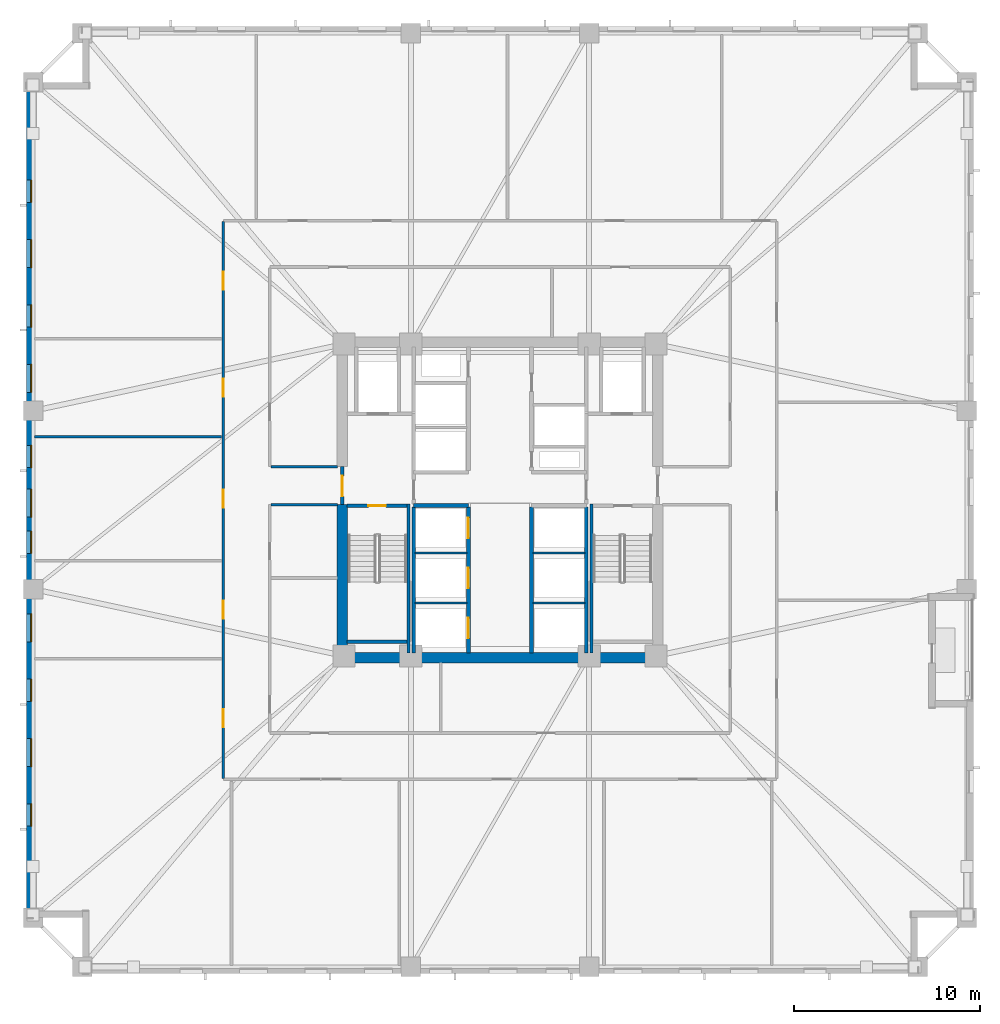
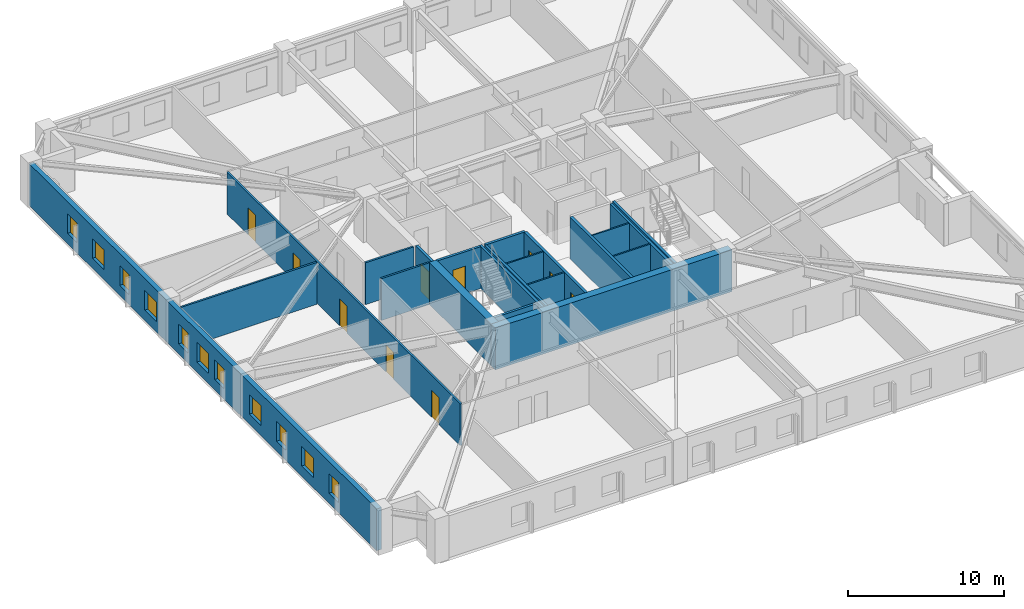
# One storey, part 3 of 11: 21 walls, 11 windows, 10 doors, 21 openings.
"""IFC4 building model written with IfcOpenShell, lengths in metres."""

import ifcopenshell
import ifcopenshell.guid

model = None  # the IFC model being written
_history = None  # IfcOwnerHistory: only IFC2X3 demands one
_inside = {}  # id of a spatial element -> (the spatial element, [elements in it])
_under = {}  # id of a project, library or spatial element -> (it, [spatial elements below it])
_declared = {}  # id of a project -> (the project, [libraries it declares])
_typed = {}  # id of a type object -> (the type object, [elements of that type])
_made_of = {}  # id of a material, layer set ... -> (it, [elements and type objects made of it])


def new_model(schema):
    """Start an empty IFC model of exactly this schema.

    Asked for "IFC4X3", IfcOpenShell would pick the latest addendum, in which some entities
    have other attributes; the version numbers below select the first issue.
    IFC2X3 requires an IfcOwnerHistory on every rooted entity: one is made here for all.
    """
    global model, _history
    if schema == "IFC4X3":
        model = ifcopenshell.file(schema_version=(4, 3, 0, 0))
    else:
        model = ifcopenshell.file(schema=schema)
    _inside.clear()
    _under.clear()
    _declared.clear()
    _typed.clear()
    _made_of.clear()
    _history = None
    if model.schema == "IFC2X3":
        org = make("IfcOrganization", Name="unknown")
        user = make(
            "IfcPersonAndOrganization",
            ThePerson=make("IfcPerson", FamilyName="unknown"),
            TheOrganization=org,
        )
        app = make(
            "IfcApplication",
            ApplicationDeveloper=org,
            Version="unknown",
            ApplicationFullName="unknown",
            ApplicationIdentifier="unknown",
        )
        _history = make(
            "IfcOwnerHistory",
            OwningUser=user,
            OwningApplication=app,
            ChangeAction="ADDED",
            CreationDate=0,
        )
    return model


def make(cls, **values):
    """One entity of the class cls with the attributes given. An attribute that is None is left unset."""
    return model.create_entity(
        cls, **{name: value for name, value in values.items() if value is not None}
    )


def rooted(cls, **values):
    """An entity with a GlobalId (a new one), such as an element, a storey or a relation."""
    return make(cls, GlobalId=ifcopenshell.guid.new(), OwnerHistory=_history, **values)


def si_unit(unit_type, name, prefix=None):
    """IfcSIUnit, for example si_unit("LENGTHUNIT", "METRE", prefix="MILLI")."""
    return make("IfcSIUnit", UnitType=unit_type, Prefix=prefix, Name=name)


def assignment(units):
    """IfcUnitAssignment: the units of a project."""
    return None if units is None else make("IfcUnitAssignment", Units=units)


def point(xyz):
    """IfcCartesianPoint."""
    return None if xyz is None else make("IfcCartesianPoint", Coordinates=xyz)


def direction(xyz):
    """IfcDirection."""
    return None if xyz is None else make("IfcDirection", DirectionRatios=xyz)


def frame(location, z_axis=None, x_axis=None):
    """IfcAxis2Placement3D, a coordinate frame: its origin and axes. An axis left out is left unset."""
    return make(
        "IfcAxis2Placement3D",
        Location=point(location),
        Axis=direction(z_axis),
        RefDirection=direction(x_axis),
    )


def frame_2d(location, x_axis=None):
    """IfcAxis2Placement2D, a coordinate frame in the plane: its origin and x axis."""
    return make(
        "IfcAxis2Placement2D", Location=point(location), RefDirection=direction(x_axis)
    )


def origin():
    """The frame at (0, 0, 0) with its axes left unset."""
    return frame((0.0, 0.0, 0.0))


def place(relative_to, where):
    """IfcLocalPlacement: puts the frame where relative to a parent placement (None: the world)."""
    return make(
        "IfcLocalPlacement", PlacementRelTo=relative_to, RelativePlacement=where
    )


def context(
    kind, dimensions, precision=None, world=None, true_north=None, identifier=None
):
    """IfcGeometricRepresentationContext, for example the 3D "Model" context."""
    return make(
        "IfcGeometricRepresentationContext",
        ContextIdentifier=identifier,
        ContextType=kind,
        CoordinateSpaceDimension=dimensions,
        Precision=precision,
        WorldCoordinateSystem=world,
        TrueNorth=true_north,
    )


def subcontext(parent, identifier, kind, view, scale=None):
    """IfcGeometricRepresentationSubContext, for example "Body" below "Model"."""
    return make(
        "IfcGeometricRepresentationSubContext",
        ContextIdentifier=identifier,
        ContextType=kind,
        ParentContext=parent,
        TargetScale=scale,
        TargetView=view,
    )


def project(units=None, contexts=None):
    """IfcProject with its units and contexts."""
    return rooted(
        "IfcProject",
        Name="project",
        RepresentationContexts=contexts,
        UnitsInContext=assignment(units),
    )


def spatial(cls, under=None, at=None, **own):
    """A site, building, storey or space (cls), placed at a placement, below another one or the project."""
    s = rooted(cls, ObjectPlacement=at, **own)
    if under is not None:
        _under.setdefault(under.id(), (under, []))[1].append(s)
    return s


def profile(cls, at=None, kind="AREA", **sizes):
    """A parametric profile (cls). Its sizes go by their IFC names, for example OverallWidth=200.0."""
    return make(cls, ProfileType=kind, Position=at, **sizes)


def rectangle(**sizes):
    """IfcRectangleProfileDef."""
    return profile("IfcRectangleProfileDef", **sizes)


def extrude(swept, where, along, depth):
    """IfcExtrudedAreaSolid: the profile swept, set in the frame where, extruded along a direction by depth."""
    return make(
        "IfcExtrudedAreaSolid",
        SweptArea=swept,
        Position=where,
        ExtrudedDirection=direction(along),
        Depth=depth,
    )


def shape(context_of_items, identifier, shape_type, items):
    """IfcShapeRepresentation: the items that make up one representation, for example the "Body"."""
    return make(
        "IfcShapeRepresentation",
        ContextOfItems=context_of_items,
        RepresentationIdentifier=identifier,
        RepresentationType=shape_type,
        Items=items,
    )


def material(Name=None, Category=None):
    """IfcMaterial."""
    return make("IfcMaterial", Name=Name, Category=Category)


def layer(
    of_material, thickness, ventilated=None, Name=None, Category=None, Priority=None
):
    """IfcMaterialLayer: one layer of a wall or slab, of a material (None: an air gap)."""
    return make(
        "IfcMaterialLayer",
        Material=of_material,
        LayerThickness=thickness,
        IsVentilated=ventilated,
        Name=Name,
        Category=Category,
        Priority=Priority,
    )


def layer_set(layers, Name=None):
    """IfcMaterialLayerSet."""
    return make("IfcMaterialLayerSet", MaterialLayers=layers, LayerSetName=Name)


def made_of(thing, what):
    """Note that an element or type object is made of a material, layer set ...; save() writes the relation."""
    if what is not None:
        _made_of.setdefault(what.id(), (what, []))[1].append(thing)
    return thing


def type_object(cls, material=None, **own):
    """A type object (cls), such as IfcWallType, which elements share."""
    return made_of(rooted(cls, **own), material)


def element(
    cls,
    number,
    at=None,
    inside=None,
    cuts=None,
    type_object=None,
    material=None,
    context=None,
    identifier="Body",
    shape_type=None,
    held_by="IfcProductDefinitionShape",
    body=None,
    shapes=None,
    **own,
):
    """One element of the class cls, such as IfcWall. Its Tag is "e" and its number.

    at: its placement. inside: the storey or other place that contains it. cuts: it is an
    opening in that element (IfcRelVoidsElement). A single representation is given by context,
    identifier, shape_type and body (its items); several are given by shapes. held_by: the class
    of the entity that holds the representations. save() writes the other relations.
    """
    e = rooted(cls, Tag="e%d" % number, ObjectPlacement=at, **own)
    if body is not None:
        shapes = [shape(context, identifier, shape_type, body)]
    if shapes is not None:
        e.Representation = make(held_by, Representations=shapes)
    if inside is not None:
        _inside.setdefault(inside.id(), (inside, []))[1].append(e)
    if cuts is not None:
        rooted(
            "IfcRelVoidsElement", RelatingBuildingElement=cuts, RelatedOpeningElement=e
        )
    if type_object is not None:
        _typed.setdefault(type_object.id(), (type_object, []))[1].append(e)
    return made_of(e, material)


def fill(opening, filler):
    """IfcRelFillsElement: the door or window that sits in an opening."""
    return rooted(
        "IfcRelFillsElement",
        RelatingOpeningElement=opening,
        RelatedBuildingElement=filler,
    )


def aggregate(whole, parts):
    """IfcRelAggregates: a whole, such as a stair, and the parts it consists of."""
    return rooted("IfcRelAggregates", RelatingObject=whole, RelatedObjects=parts)


def save(model, path):
    """Write the relations noted so far, then the file.

    IfcRelAggregates (storeys below a building ...), IfcRelContainedInSpatialStructure (elements
    in a storey), IfcRelDefinesByType, IfcRelAssociatesMaterial and IfcRelDeclares: one each for
    every whole, place, type object, material and project.
    """
    for whole, parts in _under.values():
        aggregate(whole, parts)
    for where, things in _inside.values():
        rooted(
            "IfcRelContainedInSpatialStructure",
            RelatedElements=things,
            RelatingStructure=where,
        )
    for kind, things in _typed.values():
        rooted("IfcRelDefinesByType", RelatedObjects=things, RelatingType=kind)
    for what, things in _made_of.values():
        rooted("IfcRelAssociatesMaterial", RelatedObjects=things, RelatingMaterial=what)
    for by, libraries in _declared.values():
        rooted("IfcRelDeclares", RelatingContext=by, RelatedDefinitions=libraries)
    model.write(path)


model = new_model("IFC4")

# Units and contexts
model_context = context("Model", 3, precision=1e-05, world=origin(), true_north=direction((0.0, 1.0)))
body_context = subcontext(model_context, "Body", "Model", "MODEL_VIEW")
ifc_project = project(units=[si_unit("LENGTHUNIT", "METRE"), si_unit("AREAUNIT", "SQUARE_METRE"), si_unit("VOLUMEUNIT", "CUBIC_METRE"), si_unit("PLANEANGLEUNIT", "RADIAN"), si_unit("MASSUNIT", "GRAM", prefix="KILO")], contexts=[model_context])

# Site, building, storey
site_placement = place(None, origin())
site = spatial("IfcSite", under=ifc_project, at=site_placement, CompositionType="ELEMENT")
building_placement = place(site_placement, origin())
building = spatial("IfcBuilding", under=site, at=building_placement, Name="Cairnveth Concourse Tower", CompositionType="ELEMENT")
storey_placement = place(building_placement, frame((0.0, 0.0, 62.0)))
storey = spatial("IfcBuildingStorey", under=building, at=storey_placement, Name="L16", CompositionType="ELEMENT", Elevation=62.0)

# Walls
ifc_material_1 = material(Name="Concrete N80 (80 MPa)", Category="concrete")
ifc_layer_1 = layer(ifc_material_1, 0.550048828125)
ifc_layer_set_1 = layer_set([ifc_layer_1], Name="Concrete N80 (80 MPa)")
wall_type_1 = type_object("IfcWallType", Name="CORE SHEAR WALL 550", PredefinedType="SHEAR", material=ifc_layer_set_1)
wall_1_placement = place(storey_placement, frame((43.22509765625, 30.5, 0.0), z_axis=(0.0, 0.0, 1.0), x_axis=(1.0, 0.0, 0.0)))
element("IfcWall", 1, at=wall_1_placement, inside=storey, type_object=wall_type_1, Name="Core South Shear Wall L16", PredefinedType="SHEAR", context=body_context, shape_type="SweptSolid", body=[
    extrude(rectangle(XDim=17.5498046875, YDim=0.550048828125, at=frame_2d((8.77490234375, 0.0))), origin(), (0.0, 0.0, 1.0), 3.280029296875),
])
wall_2_placement = place(storey_placement, frame((43.5, 30.764892578125, 0.0), z_axis=(0.0, 0.0, 1.0), x_axis=(0.0, 1.0, 0.0)))
element("IfcWall", 2, at=wall_2_placement, inside=storey, type_object=wall_type_1, Name="Core West Shear Wall S L16", PredefinedType="SHEAR", context=body_context, shape_type="SweptSolid", body=[
    extrude(rectangle(XDim=7.985107421875, YDim=0.550048828125, at=frame_2d((3.99267578125, 0.0))), origin(), (0.0, 0.0, 1.0), 3.280029296875),
])
ifc_material_2 = material(Name="Concrete N50 (50 MPa)", Category="concrete")
ifc_layer_2 = layer(ifc_material_2, 0.179931640625)
ifc_layer_set_2 = layer_set([ifc_layer_2], Name="Concrete N50 (50 MPa)")
wall_type_2 = type_object("IfcWallType", Name="FIRE SHAFT WALL 180", PredefinedType="SOLIDWALL", material=ifc_layer_set_2)
for number, where, z_axis, x_axis, name in (
    (3, (47.35009765625, 30.760009765625, 0.0), (0.0, 0.0, 1.0), (0.0, 1.0, 0.0), "Interior Wall IW-L16-025"),
    (4, (56.64990234375, 30.760009765625, 0.0), (0.0, 0.0, 1.0), (0.0, 1.0, 0.0), "Interior Wall IW-L16-028"),
):
    element("IfcWall", number, at=place(storey_placement, frame(where, z_axis=z_axis, x_axis=x_axis)), inside=storey, type_object=wall_type_2, Name=name, PredefinedType="SOLIDWALL", context=body_context, shape_type="SweptSolid", body=[
        extrude(rectangle(XDim=7.85498046875, YDim=0.179931640625, at=frame_2d((3.927490234375, 0.0))), origin(), (0.0, 0.0, 1.0), 3.280029296875),
    ])

# Wall, opening, door
wall_3_placement = place(storey_placement, frame((43.764892578125, 38.68994140625, 0.0), z_axis=(0.0, 0.0, 1.0), x_axis=(1.0, 0.0, 0.0)))
wall_3 = element("IfcWall", 5, at=wall_3_placement, inside=storey, type_object=wall_type_2, Name="Stair ST-1 Shaft Wall NEAR L16", PredefinedType="SOLIDWALL", context=body_context, shape_type="SweptSolid", body=[
    extrude(rectangle(XDim=3.230224609375, YDim=0.179931640625, at=frame_2d((1.615234375, 0.0))), origin(), (0.0, 0.0, 1.0), 3.280029296875),
])
opening_1_placement = place(wall_3_placement, frame((1.139892578125, 0.0, 0.0)))
opening_1 = element("IfcOpeningElement", 6, at=opening_1_placement, cuts=wall_3, Name="Opening ID12", PredefinedType="OPENING", context=body_context, shape_type="SweptSolid", body=[
    extrude(rectangle(XDim=0.949951171875, YDim=2.14990234375, at=frame_2d((0.47509765625, 1.074951171875))), frame((0.0, 0.099853515625, 0.0), z_axis=(0.0, -1.0, 0.0), x_axis=(1.0, 0.0, 0.0)), (0.0, 0.0, 1.0), 0.199951171875),
])
ifc_material_3 = material(Name="Steel Grade 350", Category="steel")
door_type_1 = type_object("IfcDoorType", Name="FIRE STAIR DOOR 950X2150", OperationType="NOTDEFINED", PredefinedType="DOOR", material=ifc_material_3)
door_1_placement = place(opening_1_placement, origin())
door_1 = element("IfcDoor", 7, at=door_1_placement, inside=storey, type_object=door_type_1, Name="Stair ST-1 Fire Door L16", OperationType="SINGLE_SWING_LEFT", OverallHeight=2.14990234375, OverallWidth=0.949951171875, PredefinedType="DOOR", context=body_context, shape_type="SweptSolid", body=[
    extrude(rectangle(XDim=0.949951171875, YDim=2.14990234375, at=frame_2d((0.47509765625, 1.074951171875))), frame((0.0, 0.02490234375, 0.0), z_axis=(0.0, -1.0, 0.0), x_axis=(1.0, 0.0, 0.0)), (0.0, 0.0, 1.0), 0.050048828125),
])
fill(opening_1, door_1)

# Walls
wall_4_placement = place(storey_placement, frame((43.764892578125, 31.360107421875, 0.0), z_axis=(0.0, 0.0, 1.0), x_axis=(1.0, 0.0, 0.0)))
element("IfcWall", 8, at=wall_4_placement, inside=storey, type_object=wall_type_2, Name="Stair ST-1 Shaft Wall FAR L16", PredefinedType="SOLIDWALL", context=body_context, shape_type="SweptSolid", body=[
    extrude(rectangle(XDim=3.230224609375, YDim=0.179931640625, at=frame_2d((1.615234375, 0.0))), origin(), (0.0, 0.0, 1.0), 3.280029296875),
])
for number, where, z_axis, x_axis, name in (
    (9, (47.070068359375, 38.780029296875, 0.0), (0.0, 0.0, 1.0), (0.0, -1.0, 0.0), "Stair ST-1 Shaft Wall RGHT L16"),
    (10, (56.929931640625, 38.780029296875, 0.0), (0.0, 0.0, 1.0), (0.0, -1.0, 0.0), "Stair ST-2 Shaft Wall LEFT L16"),
):
    element("IfcWall", number, at=place(storey_placement, frame(where, z_axis=z_axis, x_axis=x_axis)), inside=storey, type_object=wall_type_2, Name=name, PredefinedType="SOLIDWALL", context=body_context, shape_type="SweptSolid", body=[
        extrude(rectangle(XDim=8.01708984375, YDim=0.179931640625, at=frame_2d((4.008544921875, 0.0))), origin(), (0.0, 0.0, 1.0), 3.280029296875),
    ])
ifc_layer_3 = layer(ifc_material_2, 0.199951171875)
ifc_layer_set_3 = layer_set([ifc_layer_3], Name="Concrete N50 (50 MPa)")
wall_type_3 = type_object("IfcWallType", Name="FIRE SHAFT WALL 200", PredefinedType="SOLIDWALL", material=ifc_layer_set_3)
wall_5_placement = place(storey_placement, frame((47.35009765625, 38.699951171875, 0.0), z_axis=(0.0, 0.0, 1.0), x_axis=(1.0, 0.0, 0.0)))
element("IfcWall", 11, at=wall_5_placement, inside=storey, type_object=wall_type_3, Name="Interior Wall IW-L16-007", PredefinedType="SOLIDWALL", context=body_context, shape_type="SweptSolid", body=[
    extrude(rectangle(XDim=2.949951171875, YDim=0.199951171875, at=frame_2d((1.47509765625, 0.0))), origin(), (0.0, 0.0, 1.0), 3.280029296875),
])

# Wall, openings, doors
wall_6_placement = place(storey_placement, frame((50.300048828125, 30.760009765625, 0.0), z_axis=(0.0, 0.0, 1.0), x_axis=(0.0, 1.0, 0.0)))
wall_6 = element("IfcWall", 12, at=wall_6_placement, inside=storey, type_object=wall_type_3, Name="Interior Wall IW-L16-011", PredefinedType="SOLIDWALL", context=body_context, shape_type="SweptSolid", body=[
    extrude(rectangle(XDim=7.85498046875, YDim=0.199951171875, at=frame_2d((3.927490234375, 0.0))), origin(), (0.0, 0.0, 1.0), 3.280029296875),
])
opening_2_placement = place(wall_6_placement, frame((0.7900390625, 0.0, 0.0)))
opening_2 = element("IfcOpeningElement", 13, at=opening_2_placement, cuts=wall_6, Name="Opening LD-1", PredefinedType="OPENING", context=body_context, shape_type="SweptSolid", body=[
    extrude(rectangle(XDim=1.10009765625, YDim=2.199951171875, at=frame_2d((0.550048828125, 1.10009765625))), frame((0.0, 0.10986328125, 0.0), z_axis=(0.0, -1.0, 0.0), x_axis=(1.0, 0.0, 0.0)), (0.0, 0.0, 1.0), 0.219970703125),
])
opening_3_placement = place(wall_6_placement, frame((3.489990234375, 0.0, 0.0)))
opening_3 = element("IfcOpeningElement", 14, at=opening_3_placement, cuts=wall_6, Name="Opening LD-1", PredefinedType="OPENING", context=body_context, shape_type="SweptSolid", body=[
    extrude(rectangle(XDim=1.10009765625, YDim=2.199951171875, at=frame_2d((0.550048828125, 1.10009765625))), frame((0.0, 0.10986328125, 0.0), z_axis=(0.0, -1.0, 0.0), x_axis=(1.0, 0.0, 0.0)), (0.0, 0.0, 1.0), 0.219970703125),
])
opening_4_placement = place(wall_6_placement, frame((6.18994140625, 0.0, 0.0)))
opening_4 = element("IfcOpeningElement", 15, at=opening_4_placement, cuts=wall_6, Name="Opening LD-1", PredefinedType="OPENING", context=body_context, shape_type="SweptSolid", body=[
    extrude(rectangle(XDim=1.10009765625, YDim=2.199951171875, at=frame_2d((0.550048828125, 1.10009765625))), frame((0.0, 0.10986328125, 0.0), z_axis=(0.0, -1.0, 0.0), x_axis=(1.0, 0.0, 0.0)), (0.0, 0.0, 1.0), 0.219970703125),
])
ifc_material_4 = material(Name="Architectural Bronze Anodised Aluminium 6063-T6", Category="aluminium")
door_type_2 = type_object("IfcDoorType", Name="LIFT LANDING DOOR 1100X2200", OperationType="SLIDING_TO_LEFT", PredefinedType="DOOR", material=ifc_material_4)
door_2_placement = place(opening_2_placement, origin())
door_2 = element("IfcDoor", 16, at=door_2_placement, inside=storey, type_object=door_type_2, Name="Lift PL1 Landing Door L16", OperationType="SLIDING_TO_LEFT", OverallHeight=2.199951171875, OverallWidth=1.10009765625, PredefinedType="DOOR", context=body_context, shape_type="SweptSolid", body=[
    extrude(rectangle(XDim=1.10009765625, YDim=2.199951171875, at=frame_2d((0.550048828125, 1.10009765625))), frame((0.0, 0.02490234375, 0.0), z_axis=(0.0, -1.0, 0.0), x_axis=(1.0, 0.0, 0.0)), (0.0, 0.0, 1.0), 0.050048828125),
])
fill(opening_2, door_2)
door_3_placement = place(opening_3_placement, origin())
door_3 = element("IfcDoor", 17, at=door_3_placement, inside=storey, type_object=door_type_2, Name="Lift PL2 Landing Door L16", OperationType="SLIDING_TO_LEFT", OverallHeight=2.199951171875, OverallWidth=1.10009765625, PredefinedType="DOOR", context=body_context, shape_type="SweptSolid", body=[
    extrude(rectangle(XDim=1.10009765625, YDim=2.199951171875, at=frame_2d((0.550048828125, 1.10009765625))), frame((0.0, 0.02490234375, 0.0), z_axis=(0.0, -1.0, 0.0), x_axis=(1.0, 0.0, 0.0)), (0.0, 0.0, 1.0), 0.050048828125),
])
fill(opening_3, door_3)
door_4_placement = place(opening_4_placement, origin())
door_4 = element("IfcDoor", 18, at=door_4_placement, inside=storey, type_object=door_type_2, Name="Lift PL3 Landing Door L16", OperationType="SLIDING_TO_LEFT", OverallHeight=2.199951171875, OverallWidth=1.10009765625, PredefinedType="DOOR", context=body_context, shape_type="SweptSolid", body=[
    extrude(rectangle(XDim=1.10009765625, YDim=2.199951171875, at=frame_2d((0.550048828125, 1.10009765625))), frame((0.0, 0.02490234375, 0.0), z_axis=(0.0, -1.0, 0.0), x_axis=(1.0, 0.0, 0.0)), (0.0, 0.0, 1.0), 0.050048828125),
])
fill(opening_4, door_4)

# Wall
wall_7_placement = place(storey_placement, frame((53.699951171875, 30.760009765625, 0.0), z_axis=(0.0, 0.0, 1.0), x_axis=(0.0, 1.0, 0.0)))
element("IfcWall", 19, at=wall_7_placement, inside=storey, type_object=wall_type_3, Name="Interior Wall IW-L16-012", PredefinedType="SOLIDWALL", context=body_context, shape_type="SweptSolid", body=[
    extrude(rectangle(XDim=7.85498046875, YDim=0.199951171875, at=frame_2d((3.927490234375, 0.0))), origin(), (0.0, 0.0, 1.0), 3.280029296875),
])

# Wall, opening, door
wall_8_placement = place(storey_placement, frame((43.5, 38.75, 0.0), z_axis=(0.0, 0.0, 1.0), x_axis=(0.0, 1.0, 0.0)))
wall_8 = element("IfcWall", 20, at=wall_8_placement, inside=storey, type_object=wall_type_3, Name="Interior Wall IW-L16-015", PredefinedType="SOLIDWALL", context=body_context, shape_type="SweptSolid", body=[
    extrude(rectangle(XDim=2.050048828125, YDim=0.199951171875, at=frame_2d((1.02490234375, 0.0))), origin(), (0.0, 0.0, 1.0), 3.280029296875),
])
opening_5_placement = place(wall_8_placement, frame((0.449951171875, 0.0, 0.0)))
opening_5 = element("IfcOpeningElement", 21, at=opening_5_placement, cuts=wall_8, Name="Opening ID06", PredefinedType="OPENING", context=body_context, shape_type="SweptSolid", body=[
    extrude(rectangle(XDim=1.10009765625, YDim=2.14990234375, at=frame_2d((0.550048828125, 1.074951171875))), frame((0.0, 0.10986328125, 0.0), z_axis=(0.0, -1.0, 0.0), x_axis=(1.0, 0.0, 0.0)), (0.0, 0.0, 1.0), 0.219970703125),
])
door_type_3 = type_object("IfcDoorType", Name="FIRE CORRIDOR DOOR 1100X2150", OperationType="NOTDEFINED", PredefinedType="DOOR", material=ifc_material_3)
door_5_placement = place(opening_5_placement, origin())
door_5 = element("IfcDoor", 22, at=door_5_placement, inside=storey, type_object=door_type_3, Name="West Wing to FF Lobby Door L16", OperationType="SINGLE_SWING_LEFT", OverallHeight=2.14990234375, OverallWidth=1.10009765625, PredefinedType="DOOR", context=body_context, shape_type="SweptSolid", body=[
    extrude(rectangle(XDim=1.10009765625, YDim=2.14990234375, at=frame_2d((0.550048828125, 1.074951171875))), frame((0.0, 0.02490234375, 0.0), z_axis=(0.0, -1.0, 0.0), x_axis=(1.0, 0.0, 0.0)), (0.0, 0.0, 1.0), 0.050048828125),
])
fill(opening_5, door_5)

# Wall, openings, doors
ifc_material_5 = material(Name="Gypsum Plasterboard Partition", Category="gypsum")
ifc_layer_4 = layer(ifc_material_5, 0.139892578125)
ifc_layer_set_4 = layer_set([ifc_layer_4], Name="Gypsum Plasterboard Partition")
wall_type_4 = type_object("IfcWallType", Name="GYPSUM STUD PARTITION 140", PredefinedType="PARTITIONING", material=ifc_layer_set_4)
wall_9_placement = place(storey_placement, frame((37.10009765625, 24.0048828125, 0.0), z_axis=(0.0, 0.0, 1.0), x_axis=(0.0, 1.0, 0.0)))
wall_9 = element("IfcWall", 23, at=wall_9_placement, inside=storey, type_object=wall_type_4, Name="Interior Wall IW-L16-039", PredefinedType="PARTITIONING", context=body_context, shape_type="SweptSolid", body=[
    extrude(rectangle(XDim=29.990234375, YDim=0.139892578125, at=frame_2d((14.9951171875, 0.0))), origin(), (0.0, 0.0, 1.0), 3.280029296875),
])
opening_6_placement = place(wall_9_placement, frame((2.759765625, 0.0, 0.0)))
opening_6 = element("IfcOpeningElement", 24, at=opening_6_placement, cuts=wall_9, Name="Opening ID11", PredefinedType="OPENING", context=body_context, shape_type="SweptSolid", body=[
    extrude(rectangle(XDim=0.9599609375, YDim=2.1201171875, at=frame_2d((0.47998046875, 1.06005859375))), frame((0.0, 0.079833984375, 0.0), z_axis=(0.0, -1.0, 0.0), x_axis=(1.0, 0.0, 0.0)), (0.0, 0.0, 1.0), 0.159912109375),
])
opening_7_placement = place(wall_9_placement, frame((8.597900390625, 0.0, 0.0)))
opening_7 = element("IfcOpeningElement", 25, at=opening_7_placement, cuts=wall_9, Name="Opening ID11", PredefinedType="OPENING", context=body_context, shape_type="SweptSolid", body=[
    extrude(rectangle(XDim=0.9599609375, YDim=2.1201171875, at=frame_2d((0.47998046875, 1.06005859375))), frame((0.0, 0.079833984375, 0.0), z_axis=(0.0, -1.0, 0.0), x_axis=(1.0, 0.0, 0.0)), (0.0, 0.0, 1.0), 0.159912109375),
])
opening_8_placement = place(wall_9_placement, frame((14.577880859375, 0.0, 0.0)))
opening_8 = element("IfcOpeningElement", 26, at=opening_8_placement, cuts=wall_9, Name="Opening ID11", PredefinedType="OPENING", context=body_context, shape_type="SweptSolid", body=[
    extrude(rectangle(XDim=0.9599609375, YDim=2.1201171875, at=frame_2d((0.47998046875, 1.06005859375))), frame((0.0, 0.079833984375, 0.0), z_axis=(0.0, -1.0, 0.0), x_axis=(1.0, 0.0, 0.0)), (0.0, 0.0, 1.0), 0.159912109375),
])
opening_9_placement = place(wall_9_placement, frame((20.55810546875, 0.0, 0.0)))
opening_9 = element("IfcOpeningElement", 27, at=opening_9_placement, cuts=wall_9, Name="Opening ID11", PredefinedType="OPENING", context=body_context, shape_type="SweptSolid", body=[
    extrude(rectangle(XDim=0.9599609375, YDim=2.1201171875, at=frame_2d((0.47998046875, 1.06005859375))), frame((0.0, 0.079833984375, 0.0), z_axis=(0.0, -1.0, 0.0), x_axis=(1.0, 0.0, 0.0)), (0.0, 0.0, 1.0), 0.159912109375),
])
opening_10_placement = place(wall_9_placement, frame((26.333251953125, 0.0, 0.0)))
opening_10 = element("IfcOpeningElement", 28, at=opening_10_placement, cuts=wall_9, Name="Opening ID11", PredefinedType="OPENING", context=body_context, shape_type="SweptSolid", body=[
    extrude(rectangle(XDim=0.9599609375, YDim=2.1201171875, at=frame_2d((0.47998046875, 1.06005859375))), frame((0.0, 0.079833984375, 0.0), z_axis=(0.0, -1.0, 0.0), x_axis=(1.0, 0.0, 0.0)), (0.0, 0.0, 1.0), 0.159912109375),
])
ifc_material_6 = material(Name="Solid Core Hardwood Timber Leaf", Category="wood")
door_type_4 = type_object("IfcDoorType", Name="INTERIOR SINGLE DOOR 960X2150", OperationType="NOTDEFINED", PredefinedType="DOOR", material=ifc_material_6)
door_6_placement = place(opening_6_placement, origin())
door_6 = element("IfcDoor", 29, at=door_6_placement, inside=storey, type_object=door_type_4, Name="Office Door L16-W1", OperationType="SINGLE_SWING_LEFT", OverallHeight=2.1201171875, OverallWidth=0.9599609375, PredefinedType="DOOR", context=body_context, shape_type="SweptSolid", body=[
    extrude(rectangle(XDim=0.9599609375, YDim=2.1201171875, at=frame_2d((0.47998046875, 1.06005859375))), frame((0.0, 0.02490234375, 0.0), z_axis=(0.0, -1.0, 0.0), x_axis=(1.0, 0.0, 0.0)), (0.0, 0.0, 1.0), 0.050048828125),
])
fill(opening_6, door_6)
door_7_placement = place(opening_7_placement, origin())
door_7 = element("IfcDoor", 30, at=door_7_placement, inside=storey, type_object=door_type_4, Name="Office Door L16-W2", OperationType="SINGLE_SWING_RIGHT", OverallHeight=2.1201171875, OverallWidth=0.9599609375, PredefinedType="DOOR", context=body_context, shape_type="SweptSolid", body=[
    extrude(rectangle(XDim=0.9599609375, YDim=2.1201171875, at=frame_2d((0.47998046875, 1.06005859375))), frame((0.0, 0.02490234375, 0.0), z_axis=(0.0, -1.0, 0.0), x_axis=(1.0, 0.0, 0.0)), (0.0, 0.0, 1.0), 0.050048828125),
])
fill(opening_7, door_7)
door_8_placement = place(opening_8_placement, origin())
door_8 = element("IfcDoor", 31, at=door_8_placement, inside=storey, type_object=door_type_4, Name="Office Door L16-W3", OperationType="SINGLE_SWING_LEFT", OverallHeight=2.1201171875, OverallWidth=0.9599609375, PredefinedType="DOOR", context=body_context, shape_type="SweptSolid", body=[
    extrude(rectangle(XDim=0.9599609375, YDim=2.1201171875, at=frame_2d((0.47998046875, 1.06005859375))), frame((0.0, 0.02490234375, 0.0), z_axis=(0.0, -1.0, 0.0), x_axis=(1.0, 0.0, 0.0)), (0.0, 0.0, 1.0), 0.050048828125),
])
fill(opening_8, door_8)
door_9_placement = place(opening_9_placement, origin())
door_9 = element("IfcDoor", 32, at=door_9_placement, inside=storey, type_object=door_type_4, Name="Office Door L16-W4", OperationType="SINGLE_SWING_RIGHT", OverallHeight=2.1201171875, OverallWidth=0.9599609375, PredefinedType="DOOR", context=body_context, shape_type="SweptSolid", body=[
    extrude(rectangle(XDim=0.9599609375, YDim=2.1201171875, at=frame_2d((0.47998046875, 1.06005859375))), frame((0.0, 0.02490234375, 0.0), z_axis=(0.0, -1.0, 0.0), x_axis=(1.0, 0.0, 0.0)), (0.0, 0.0, 1.0), 0.050048828125),
])
fill(opening_9, door_9)
door_10_placement = place(opening_10_placement, origin())
door_10 = element("IfcDoor", 33, at=door_10_placement, inside=storey, type_object=door_type_4, Name="Office Door L16-W5", OperationType="SINGLE_SWING_LEFT", OverallHeight=2.1201171875, OverallWidth=0.9599609375, PredefinedType="DOOR", context=body_context, shape_type="SweptSolid", body=[
    extrude(rectangle(XDim=0.9599609375, YDim=2.1201171875, at=frame_2d((0.47998046875, 1.06005859375))), frame((0.0, 0.02490234375, 0.0), z_axis=(0.0, -1.0, 0.0), x_axis=(1.0, 0.0, 0.0)), (0.0, 0.0, 1.0), 0.050048828125),
])
fill(opening_10, door_10)

# Walls
for number, where, z_axis, x_axis, name in (
    (34, (39.655029296875, 38.75, 0.0), (0.0, 0.0, 1.0), (1.0, 0.0, 0.0), "Interior Wall IW-L16-045"),
    (35, (39.655029296875, 40.800048828125, 0.0), (0.0, 0.0, 1.0), (1.0, 0.0, 0.0), "Interior Wall IW-L16-046"),
):
    element("IfcWall", number, at=place(storey_placement, frame(where, z_axis=z_axis, x_axis=x_axis)), inside=storey, type_object=wall_type_4, Name=name, PredefinedType="PARTITIONING", context=body_context, shape_type="SweptSolid", body=[
        extrude(rectangle(XDim=3.5849609375, YDim=0.139892578125, at=frame_2d((1.79248046875, 0.0))), origin(), (0.0, 0.0, 1.0), 3.280029296875),
    ])
wall_10_placement = place(storey_placement, frame((26.919921875, 42.3994140625, 0.0), z_axis=(0.0, 0.0, 1.0), x_axis=(1.0, 0.0, 0.0)))
element("IfcWall", 36, at=wall_10_placement, inside=storey, type_object=wall_type_4, Name="Interior Wall IW-L16-063", PredefinedType="PARTITIONING", context=body_context, shape_type="SweptSolid", body=[
    extrude(rectangle(XDim=10.080078125, YDim=0.139892578125, at=frame_2d((5.0400390625, 0.0))), origin(), (0.0, 0.0, 1.0), 3.280029296875),
])
ifc_layer_5 = layer(ifc_material_5, 0.110107421875)
ifc_layer_set_5 = layer_set([ifc_layer_5], Name="Gypsum Plasterboard Partition")
wall_type_5 = type_object("IfcWallType", Name="SHAFT DIVIDER WALL 140", PredefinedType="PARTITIONING", material=ifc_layer_set_5)
for number, where, z_axis, x_axis, name in (
    (37, (47.425048828125, 33.449951171875, 0.0), (0.0, 0.0, 1.0), (1.0, 0.0, 0.0), "Interior Wall IW-L16-026"),
    (38, (47.425048828125, 36.14990234375, 0.0), (0.0, 0.0, 1.0), (1.0, 0.0, 0.0), "Interior Wall IW-L16-027"),
    (39, (53.784912109375, 33.449951171875, 0.0), (0.0, 0.0, 1.0), (1.0, 0.0, 0.0), "Interior Wall IW-L16-029"),
    (40, (53.784912109375, 36.14990234375, 0.0), (0.0, 0.0, 1.0), (1.0, 0.0, 0.0), "Interior Wall IW-L16-030"),
):
    element("IfcWall", number, at=place(storey_placement, frame(where, z_axis=z_axis, x_axis=x_axis)), inside=storey, type_object=wall_type_5, Name=name, PredefinedType="PARTITIONING", context=body_context, shape_type="SweptSolid", body=[
        extrude(rectangle(XDim=2.7900390625, YDim=0.110107421875, at=frame_2d((1.39501953125, 0.0))), origin(), (0.0, 0.0, 1.0), 3.280029296875),
    ])

# Wall, openings, windows
ifc_material_7 = material(Name="Hawthorn Red-Ochre Fired Clay Brick Masonry", Category="masonry")
ifc_layer_6 = layer(ifc_material_7, 0.360107421875)
ifc_layer_set_6 = layer_set([ifc_layer_6], Name="Hawthorn Red-Ochre Fired Clay Brick Masonry")
wall_type_6 = type_object("IfcWallType", Name="ZONE 1 BRICK PIER SPANDREL WALL 360", PredefinedType="SOLIDWALL", material=ifc_layer_set_6)
wall_11_placement = place(storey_placement, frame((26.679931640625, 16.5, 0.0), z_axis=(0.0, 0.0, 1.0), x_axis=(0.0, 1.0, 0.0)))
wall_11 = element("IfcWall", 41, at=wall_11_placement, inside=storey, type_object=wall_type_6, Name="Exterior Wall EW-L16-S06", PredefinedType="SOLIDWALL", context=body_context, shape_type="SweptSolid", body=[
    extrude(rectangle(XDim=44.662109375, YDim=0.360107421875, at=frame_2d((22.3310546875, 0.0))), origin(), (0.0, 0.0, 1.0), 3.280029296875),
])
opening_11_placement = place(wall_11_placement, frame((4.93017578125, 0.0, 0.800048828125)))
opening_11 = element("IfcOpeningElement", 42, at=opening_11_placement, cuts=wall_11, Name="Opening W01", PredefinedType="OPENING", context=body_context, shape_type="SweptSolid", body=[
    extrude(rectangle(XDim=1.199951171875, YDim=1.5439453125, at=frame_2d((0.60009765625, 0.77197265625))), frame((0.0, 0.18994140625, 0.0), z_axis=(0.0, -1.0, 0.0), x_axis=(1.0, 0.0, 0.0)), (0.0, 0.0, 1.0), 0.380126953125),
])
opening_12_placement = place(wall_11_placement, frame((8.140380859375, 0.0, 0.800048828125)))
opening_12 = element("IfcOpeningElement", 43, at=opening_12_placement, cuts=wall_11, Name="Opening W03", PredefinedType="OPENING", context=body_context, shape_type="SweptSolid", body=[
    extrude(rectangle(XDim=1.5, YDim=1.5439453125, at=frame_2d((0.75, 0.77197265625))), frame((0.0, 0.18994140625, 0.0), z_axis=(0.0, -1.0, 0.0), x_axis=(1.0, 0.0, 0.0)), (0.0, 0.0, 1.0), 0.380126953125),
])
opening_13_placement = place(wall_11_placement, frame((11.650390625, 0.0, 0.800048828125)))
opening_13 = element("IfcOpeningElement", 44, at=opening_13_placement, cuts=wall_11, Name="Opening W01", PredefinedType="OPENING", context=body_context, shape_type="SweptSolid", body=[
    extrude(rectangle(XDim=1.199951171875, YDim=1.5439453125, at=frame_2d((0.60009765625, 0.77197265625))), frame((0.0, 0.18994140625, 0.0), z_axis=(0.0, -1.0, 0.0), x_axis=(1.0, 0.0, 0.0)), (0.0, 0.0, 1.0), 0.380126953125),
])
opening_14_placement = place(wall_11_placement, frame((14.860595703125, 0.0, 0.800048828125)))
opening_14 = element("IfcOpeningElement", 45, at=opening_14_placement, cuts=wall_11, Name="Opening W03", PredefinedType="OPENING", context=body_context, shape_type="SweptSolid", body=[
    extrude(rectangle(XDim=1.5, YDim=1.5439453125, at=frame_2d((0.75, 0.77197265625))), frame((0.0, 0.18994140625, 0.0), z_axis=(0.0, -1.0, 0.0), x_axis=(1.0, 0.0, 0.0)), (0.0, 0.0, 1.0), 0.380126953125),
])
opening_15_placement = place(wall_11_placement, frame((19.620849609375, 0.0, 0.800048828125)))
opening_15 = element("IfcOpeningElement", 46, at=opening_15_placement, cuts=wall_11, Name="Opening W01", PredefinedType="OPENING", context=body_context, shape_type="SweptSolid", body=[
    extrude(rectangle(XDim=1.199951171875, YDim=1.5439453125, at=frame_2d((0.60009765625, 0.77197265625))), frame((0.0, 0.18994140625, 0.0), z_axis=(0.0, -1.0, 0.0), x_axis=(1.0, 0.0, 0.0)), (0.0, 0.0, 1.0), 0.380126953125),
])
opening_16_placement = place(wall_11_placement, frame((21.5810546875, 0.0, 0.800048828125)))
opening_16 = element("IfcOpeningElement", 47, at=opening_16_placement, cuts=wall_11, Name="Opening W03", PredefinedType="OPENING", context=body_context, shape_type="SweptSolid", body=[
    extrude(rectangle(XDim=1.5, YDim=1.5439453125, at=frame_2d((0.75, 0.77197265625))), frame((0.0, 0.18994140625, 0.0), z_axis=(0.0, -1.0, 0.0), x_axis=(1.0, 0.0, 0.0)), (0.0, 0.0, 1.0), 0.380126953125),
])
opening_17_placement = place(wall_11_placement, frame((24.2412109375, 0.0, 0.800048828125)))
opening_17 = element("IfcOpeningElement", 48, at=opening_17_placement, cuts=wall_11, Name="Opening W01", PredefinedType="OPENING", context=body_context, shape_type="SweptSolid", body=[
    extrude(rectangle(XDim=1.199951171875, YDim=1.5439453125, at=frame_2d((0.60009765625, 0.77197265625))), frame((0.0, 0.18994140625, 0.0), z_axis=(0.0, -1.0, 0.0), x_axis=(1.0, 0.0, 0.0)), (0.0, 0.0, 1.0), 0.380126953125),
])
opening_18_placement = place(wall_11_placement, frame((28.301513671875, 0.0, 0.800048828125)))
opening_18 = element("IfcOpeningElement", 49, at=opening_18_placement, cuts=wall_11, Name="Opening W03", PredefinedType="OPENING", context=body_context, shape_type="SweptSolid", body=[
    extrude(rectangle(XDim=1.5, YDim=1.5439453125, at=frame_2d((0.75, 0.77197265625))), frame((0.0, 0.18994140625, 0.0), z_axis=(0.0, -1.0, 0.0), x_axis=(1.0, 0.0, 0.0)), (0.0, 0.0, 1.0), 0.380126953125),
])
opening_19_placement = place(wall_11_placement, frame((31.8115234375, 0.0, 0.800048828125)))
opening_19 = element("IfcOpeningElement", 50, at=opening_19_placement, cuts=wall_11, Name="Opening W01", PredefinedType="OPENING", context=body_context, shape_type="SweptSolid", body=[
    extrude(rectangle(XDim=1.199951171875, YDim=1.5439453125, at=frame_2d((0.60009765625, 0.77197265625))), frame((0.0, 0.18994140625, 0.0), z_axis=(0.0, -1.0, 0.0), x_axis=(1.0, 0.0, 0.0)), (0.0, 0.0, 1.0), 0.380126953125),
])
opening_20_placement = place(wall_11_placement, frame((35.021728515625, 0.0, 0.800048828125)))
opening_20 = element("IfcOpeningElement", 51, at=opening_20_placement, cuts=wall_11, Name="Opening W03", PredefinedType="OPENING", context=body_context, shape_type="SweptSolid", body=[
    extrude(rectangle(XDim=1.5, YDim=1.5439453125, at=frame_2d((0.75, 0.77197265625))), frame((0.0, 0.18994140625, 0.0), z_axis=(0.0, -1.0, 0.0), x_axis=(1.0, 0.0, 0.0)), (0.0, 0.0, 1.0), 0.380126953125),
])
opening_21_placement = place(wall_11_placement, frame((38.531982421875, 0.0, 0.800048828125)))
opening_21 = element("IfcOpeningElement", 52, at=opening_21_placement, cuts=wall_11, Name="Opening W01", PredefinedType="OPENING", context=body_context, shape_type="SweptSolid", body=[
    extrude(rectangle(XDim=1.199951171875, YDim=1.5439453125, at=frame_2d((0.60009765625, 0.77197265625))), frame((0.0, 0.18994140625, 0.0), z_axis=(0.0, -1.0, 0.0), x_axis=(1.0, 0.0, 0.0)), (0.0, 0.0, 1.0), 0.380126953125),
])
ifc_material_8 = material(Name="Double Glazed Low-E Clear Glass", Category="glass")
window_type_1 = type_object("IfcWindowType", Name="DEEP-SET GOTHIC LANCET WINDOW 1200X1800", PartitioningType="DOUBLE_PANEL_VERTICAL", PredefinedType="WINDOW", material=ifc_material_8)
window_1_placement = place(opening_11_placement, origin())
window_1 = element("IfcWindow", 53, at=window_1_placement, inside=storey, type_object=window_type_1, Name="Gothic Lancet Window L16-6-1", OverallHeight=1.5439453125, OverallWidth=1.199951171875, PartitioningType="SINGLE_PANEL", PredefinedType="WINDOW", context=body_context, shape_type="SweptSolid", body=[
    extrude(rectangle(XDim=1.199951171875, YDim=1.5439453125, at=frame_2d((0.60009765625, 0.77197265625))), frame((0.0, -0.050048828125, 0.0), z_axis=(0.0, -1.0, 0.0), x_axis=(1.0, 0.0, 0.0)), (0.0, 0.0, 1.0), 0.06005859375),
])
fill(opening_11, window_1)
window_2_placement = place(opening_13_placement, origin())
window_2 = element("IfcWindow", 54, at=window_2_placement, inside=storey, type_object=window_type_1, Name="Gothic Lancet Window L16-6-3", OverallHeight=1.5439453125, OverallWidth=1.199951171875, PartitioningType="SINGLE_PANEL", PredefinedType="WINDOW", context=body_context, shape_type="SweptSolid", body=[
    extrude(rectangle(XDim=1.199951171875, YDim=1.5439453125, at=frame_2d((0.60009765625, 0.77197265625))), frame((0.0, -0.050048828125, 0.0), z_axis=(0.0, -1.0, 0.0), x_axis=(1.0, 0.0, 0.0)), (0.0, 0.0, 1.0), 0.06005859375),
])
fill(opening_13, window_2)
window_3_placement = place(opening_15_placement, origin())
window_3 = element("IfcWindow", 55, at=window_3_placement, inside=storey, type_object=window_type_1, Name="Gothic Lancet Window L16-6-5", OverallHeight=1.5439453125, OverallWidth=1.199951171875, PartitioningType="SINGLE_PANEL", PredefinedType="WINDOW", context=body_context, shape_type="SweptSolid", body=[
    extrude(rectangle(XDim=1.199951171875, YDim=1.5439453125, at=frame_2d((0.60009765625, 0.77197265625))), frame((0.0, -0.050048828125, 0.0), z_axis=(0.0, -1.0, 0.0), x_axis=(1.0, 0.0, 0.0)), (0.0, 0.0, 1.0), 0.06005859375),
])
fill(opening_15, window_3)
window_4_placement = place(opening_17_placement, origin())
window_4 = element("IfcWindow", 56, at=window_4_placement, inside=storey, type_object=window_type_1, Name="Gothic Lancet Window L16-6-7", OverallHeight=1.5439453125, OverallWidth=1.199951171875, PartitioningType="SINGLE_PANEL", PredefinedType="WINDOW", context=body_context, shape_type="SweptSolid", body=[
    extrude(rectangle(XDim=1.199951171875, YDim=1.5439453125, at=frame_2d((0.60009765625, 0.77197265625))), frame((0.0, -0.050048828125, 0.0), z_axis=(0.0, -1.0, 0.0), x_axis=(1.0, 0.0, 0.0)), (0.0, 0.0, 1.0), 0.06005859375),
])
fill(opening_17, window_4)
window_5_placement = place(opening_19_placement, origin())
window_5 = element("IfcWindow", 57, at=window_5_placement, inside=storey, type_object=window_type_1, Name="Gothic Lancet Window L16-6-9", OverallHeight=1.5439453125, OverallWidth=1.199951171875, PartitioningType="SINGLE_PANEL", PredefinedType="WINDOW", context=body_context, shape_type="SweptSolid", body=[
    extrude(rectangle(XDim=1.199951171875, YDim=1.5439453125, at=frame_2d((0.60009765625, 0.77197265625))), frame((0.0, -0.050048828125, 0.0), z_axis=(0.0, -1.0, 0.0), x_axis=(1.0, 0.0, 0.0)), (0.0, 0.0, 1.0), 0.06005859375),
])
fill(opening_19, window_5)
window_6_placement = place(opening_21_placement, origin())
window_6 = element("IfcWindow", 58, at=window_6_placement, inside=storey, type_object=window_type_1, Name="Gothic Lancet Window L16-6-11", OverallHeight=1.5439453125, OverallWidth=1.199951171875, PartitioningType="SINGLE_PANEL", PredefinedType="WINDOW", context=body_context, shape_type="SweptSolid", body=[
    extrude(rectangle(XDim=1.199951171875, YDim=1.5439453125, at=frame_2d((0.60009765625, 0.77197265625))), frame((0.0, -0.050048828125, 0.0), z_axis=(0.0, -1.0, 0.0), x_axis=(1.0, 0.0, 0.0)), (0.0, 0.0, 1.0), 0.06005859375),
])
fill(opening_21, window_6)
window_type_2 = type_object("IfcWindowType", Name="DEEP-SET GOTHIC LANCET WINDOW 1500X1800", PartitioningType="DOUBLE_PANEL_VERTICAL", PredefinedType="WINDOW", material=ifc_material_8)
window_7_placement = place(opening_12_placement, origin())
window_7 = element("IfcWindow", 59, at=window_7_placement, inside=storey, type_object=window_type_2, Name="Gothic Lancet Window L16-6-2", OverallHeight=1.5439453125, OverallWidth=1.5, PartitioningType="SINGLE_PANEL", PredefinedType="WINDOW", context=body_context, shape_type="SweptSolid", body=[
    extrude(rectangle(XDim=1.5, YDim=1.5439453125, at=frame_2d((0.75, 0.77197265625))), frame((0.0, -0.050048828125, 0.0), z_axis=(0.0, -1.0, 0.0), x_axis=(1.0, 0.0, 0.0)), (0.0, 0.0, 1.0), 0.06005859375),
])
fill(opening_12, window_7)
window_8_placement = place(opening_14_placement, origin())
window_8 = element("IfcWindow", 60, at=window_8_placement, inside=storey, type_object=window_type_2, Name="Gothic Lancet Window L16-6-4", OverallHeight=1.5439453125, OverallWidth=1.5, PartitioningType="SINGLE_PANEL", PredefinedType="WINDOW", context=body_context, shape_type="SweptSolid", body=[
    extrude(rectangle(XDim=1.5, YDim=1.5439453125, at=frame_2d((0.75, 0.77197265625))), frame((0.0, -0.050048828125, 0.0), z_axis=(0.0, -1.0, 0.0), x_axis=(1.0, 0.0, 0.0)), (0.0, 0.0, 1.0), 0.06005859375),
])
fill(opening_14, window_8)
window_9_placement = place(opening_16_placement, origin())
window_9 = element("IfcWindow", 61, at=window_9_placement, inside=storey, type_object=window_type_2, Name="Gothic Lancet Window L16-6-6", OverallHeight=1.5439453125, OverallWidth=1.5, PartitioningType="SINGLE_PANEL", PredefinedType="WINDOW", context=body_context, shape_type="SweptSolid", body=[
    extrude(rectangle(XDim=1.5, YDim=1.5439453125, at=frame_2d((0.75, 0.77197265625))), frame((0.0, -0.050048828125, 0.0), z_axis=(0.0, -1.0, 0.0), x_axis=(1.0, 0.0, 0.0)), (0.0, 0.0, 1.0), 0.06005859375),
])
fill(opening_16, window_9)
window_10_placement = place(opening_18_placement, origin())
window_10 = element("IfcWindow", 62, at=window_10_placement, inside=storey, type_object=window_type_2, Name="Gothic Lancet Window L16-6-8", OverallHeight=1.5439453125, OverallWidth=1.5, PartitioningType="SINGLE_PANEL", PredefinedType="WINDOW", context=body_context, shape_type="SweptSolid", body=[
    extrude(rectangle(XDim=1.5, YDim=1.5439453125, at=frame_2d((0.75, 0.77197265625))), frame((0.0, -0.050048828125, 0.0), z_axis=(0.0, -1.0, 0.0), x_axis=(1.0, 0.0, 0.0)), (0.0, 0.0, 1.0), 0.06005859375),
])
fill(opening_18, window_10)
window_11_placement = place(opening_20_placement, origin())
window_11 = element("IfcWindow", 63, at=window_11_placement, inside=storey, type_object=window_type_2, Name="Gothic Lancet Window L16-6-10", OverallHeight=1.5439453125, OverallWidth=1.5, PartitioningType="SINGLE_PANEL", PredefinedType="WINDOW", context=body_context, shape_type="SweptSolid", body=[
    extrude(rectangle(XDim=1.5, YDim=1.5439453125, at=frame_2d((0.75, 0.77197265625))), frame((0.0, -0.050048828125, 0.0), z_axis=(0.0, -1.0, 0.0), x_axis=(1.0, 0.0, 0.0)), (0.0, 0.0, 1.0), 0.06005859375),
])
fill(opening_20, window_11)

save(model, "model.ifc")
